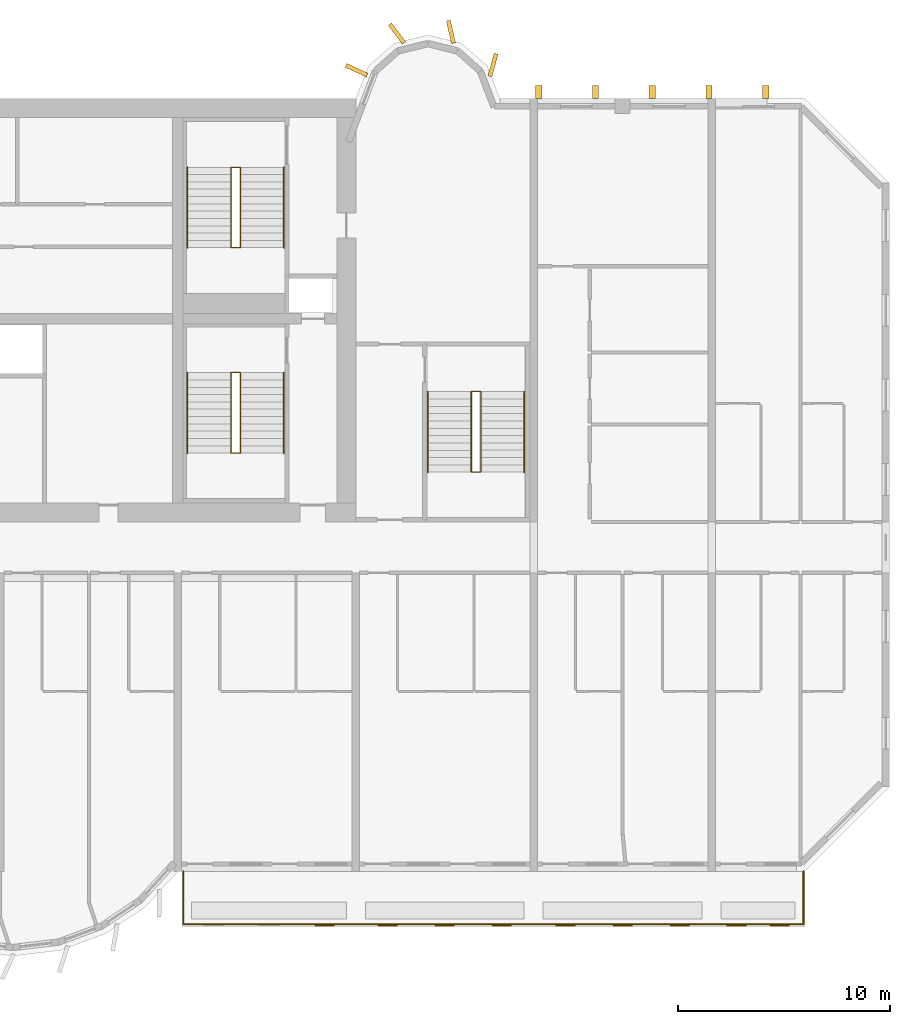
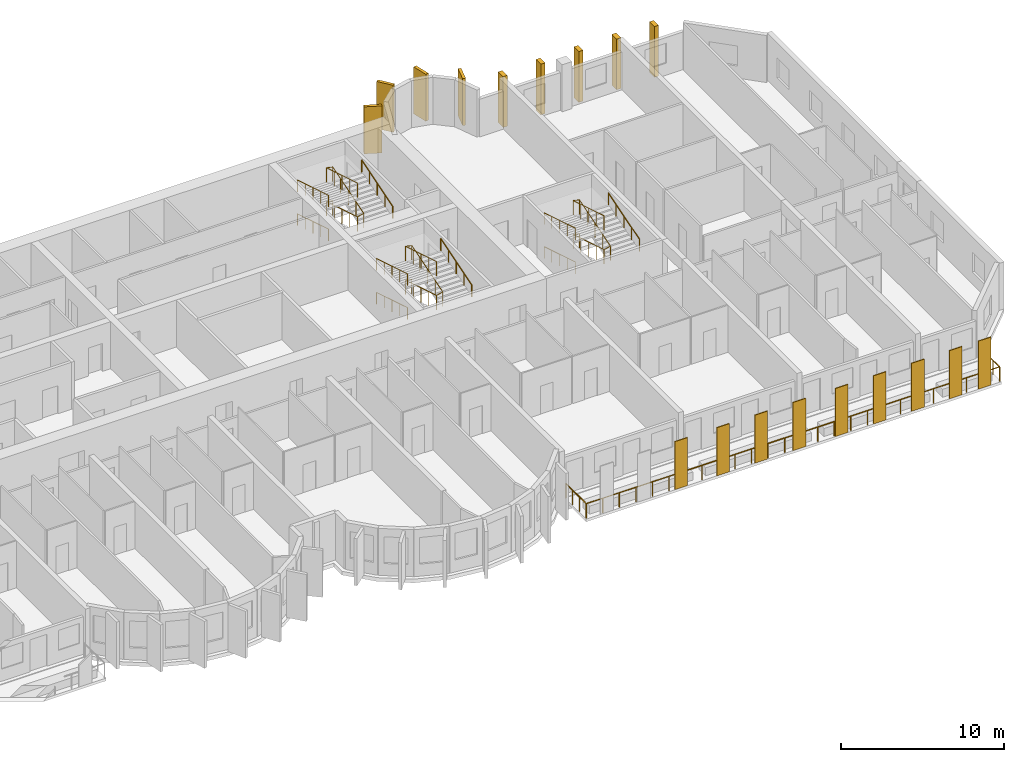
# One storey, part 13 of 14: 18 coverings, 13 railings.
"""IFC4 building model written with IfcOpenShell, lengths in metres."""

from ifc_helpers import new_model, si_unit, direction, frame, origin, origin_2d, place, context, subcontext, project, spatial, rectangle, circle, extrude, source, transform, mapped, material, layer, layer_set, material_profile, profile_set, type_object, element, save


model = new_model("IFC4")

# Units and contexts
model_context = context("Model", 3, precision=1e-05, world=origin(), true_north=direction((0.0, 1.0)))
body_context = subcontext(model_context, "Body", "Model", "MODEL_VIEW")
ifc_project = project(units=[si_unit("LENGTHUNIT", "METRE"), si_unit("AREAUNIT", "SQUARE_METRE"), si_unit("VOLUMEUNIT", "CUBIC_METRE"), si_unit("PLANEANGLEUNIT", "RADIAN"), si_unit("MASSUNIT", "GRAM", prefix="KILO")], contexts=[model_context])

# Site, building, storey
site_placement = place(None, origin())
site = spatial("IfcSite", under=ifc_project, at=site_placement, CompositionType="ELEMENT")
building_placement = place(site_placement, origin())
building = spatial("IfcBuilding", under=site, at=building_placement, Name="Vanashikhar Sky Hotel", CompositionType="ELEMENT")
storey_placement = place(building_placement, frame((0.0, 0.0, 102.800048828125)))
storey = spatial("IfcBuildingStorey", under=building, at=storey_placement, Name="L24", CompositionType="ELEMENT", Elevation=102.800048828125)

# Railing
ifc_material_1 = material(Name="Stainless steel 316", Category="steel")
railing_type_1 = type_object("IfcRailingType", Name="Balcony guard 1100", PredefinedType="GUARDRAIL", material=ifc_material_1)
shared_shape_1 = source(origin(), body_context, "Body", "SweptSolid", [
    extrude(circle(Radius=0.02392578125, at=origin_2d()), frame((0.0, 0.0, 1.076171875), z_axis=(0.0, -1.0, 0.0), x_axis=(1.0, 0.0, 0.0)), (0.0, 0.0, 1.0), 2.5),
    extrude(circle(Radius=0.02392578125, at=origin_2d()), frame((0.0, -2.5, 1.076171875), z_axis=(1.0, 0.0, 0.0), x_axis=(0.0, 1.0, 0.0)), (0.0, 0.0, 1.0), 29.280029296875),
    extrude(circle(Radius=0.02392578125, at=origin_2d()), frame((29.280029296875, -2.5, 1.076171875), z_axis=(0.0, 1.0, 0.0), x_axis=(-1.0, 0.0, 0.0)), (0.0, 0.0, 1.0), 2.5),
    extrude(circle(Radius=0.02099609375, at=origin_2d()), origin(), (0.0, 0.0, 1.0), 1.052001953125),
    extrude(circle(Radius=0.02099609375, at=origin_2d()), frame((0.0, -0.833251953125, 0.0)), (0.0, 0.0, 1.0), 1.052001953125),
    extrude(circle(Radius=0.02099609375, at=origin_2d()), frame((0.0, -1.666748046875, 0.0)), (0.0, 0.0, 1.0), 1.052001953125),
    extrude(circle(Radius=0.02099609375, at=origin_2d()), frame((0.0, -2.5, 0.0)), (0.0, 0.0, 1.0), 1.052001953125),
    extrude(circle(Radius=0.02099609375, at=origin_2d()), frame((1.171142578125, -2.5, 0.0)), (0.0, 0.0, 1.0), 1.052001953125),
    extrude(circle(Radius=0.02099609375, at=origin_2d()), frame((2.34228515625, -2.5, 0.0)), (0.0, 0.0, 1.0), 1.052001953125),
    extrude(circle(Radius=0.02099609375, at=origin_2d()), frame((3.513671875, -2.5, 0.0)), (0.0, 0.0, 1.0), 1.052001953125),
    extrude(circle(Radius=0.02099609375, at=origin_2d()), frame((4.684814453125, -2.5, 0.0)), (0.0, 0.0, 1.0), 1.052001953125),
    extrude(circle(Radius=0.02099609375, at=origin_2d()), frame((5.85595703125, -2.5, 0.0)), (0.0, 0.0, 1.0), 1.052001953125),
    extrude(circle(Radius=0.02099609375, at=origin_2d()), frame((7.027099609375, -2.5, 0.0)), (0.0, 0.0, 1.0), 1.052001953125),
    extrude(circle(Radius=0.02099609375, at=origin_2d()), frame((8.198486328125, -2.5, 0.0)), (0.0, 0.0, 1.0), 1.052001953125),
    extrude(circle(Radius=0.02099609375, at=origin_2d()), frame((9.36962890625, -2.5, 0.0)), (0.0, 0.0, 1.0), 1.052001953125),
    extrude(circle(Radius=0.02099609375, at=origin_2d()), frame((10.540771484375, -2.5, 0.0)), (0.0, 0.0, 1.0), 1.052001953125),
    extrude(circle(Radius=0.02099609375, at=origin_2d()), frame((11.7119140625, -2.5, 0.0)), (0.0, 0.0, 1.0), 1.052001953125),
    extrude(circle(Radius=0.02099609375, at=origin_2d()), frame((12.88330078125, -2.5, 0.0)), (0.0, 0.0, 1.0), 1.052001953125),
    extrude(circle(Radius=0.02099609375, at=origin_2d()), frame((14.054443359375, -2.5, 0.0)), (0.0, 0.0, 1.0), 1.052001953125),
    extrude(circle(Radius=0.02099609375, at=origin_2d()), frame((15.2255859375, -2.5, 0.0)), (0.0, 0.0, 1.0), 1.052001953125),
    extrude(circle(Radius=0.02099609375, at=origin_2d()), frame((16.396728515625, -2.5, 0.0)), (0.0, 0.0, 1.0), 1.052001953125),
    extrude(circle(Radius=0.02099609375, at=origin_2d()), frame((17.568115234375, -2.5, 0.0)), (0.0, 0.0, 1.0), 1.052001953125),
    extrude(circle(Radius=0.02099609375, at=origin_2d()), frame((18.7392578125, -2.5, 0.0)), (0.0, 0.0, 1.0), 1.052001953125),
    extrude(circle(Radius=0.02099609375, at=origin_2d()), frame((19.910400390625, -2.5, 0.0)), (0.0, 0.0, 1.0), 1.052001953125),
    extrude(circle(Radius=0.02099609375, at=origin_2d()), frame((21.08154296875, -2.5, 0.0)), (0.0, 0.0, 1.0), 1.052001953125),
    extrude(circle(Radius=0.02099609375, at=origin_2d()), frame((22.2529296875, -2.5, 0.0)), (0.0, 0.0, 1.0), 1.052001953125),
    extrude(circle(Radius=0.02099609375, at=origin_2d()), frame((23.424072265625, -2.5, 0.0)), (0.0, 0.0, 1.0), 1.052001953125),
    extrude(circle(Radius=0.02099609375, at=origin_2d()), frame((24.59521484375, -2.5, 0.0)), (0.0, 0.0, 1.0), 1.052001953125),
    extrude(circle(Radius=0.02099609375, at=origin_2d()), frame((25.766357421875, -2.5, 0.0)), (0.0, 0.0, 1.0), 1.052001953125),
    extrude(circle(Radius=0.02099609375, at=origin_2d()), frame((26.937744140625, -2.5, 0.0)), (0.0, 0.0, 1.0), 1.052001953125),
    extrude(circle(Radius=0.02099609375, at=origin_2d()), frame((28.10888671875, -2.5, 0.0)), (0.0, 0.0, 1.0), 1.052001953125),
    extrude(circle(Radius=0.02099609375, at=origin_2d()), frame((29.280029296875, -2.5, 0.0)), (0.0, 0.0, 1.0), 1.052001953125),
    extrude(circle(Radius=0.02099609375, at=origin_2d()), frame((29.280029296875, -1.666748046875, 0.0)), (0.0, 0.0, 1.0), 1.052001953125),
    extrude(circle(Radius=0.02099609375, at=origin_2d()), frame((29.280029296875, -0.833251953125, 0.0)), (0.0, 0.0, 1.0), 1.052001953125),
    extrude(circle(Radius=0.02099609375, at=origin_2d()), frame((29.280029296875, 0.0, 0.0)), (0.0, 0.0, 1.0), 1.052001953125),
])
railing_1_placement = place(storey_placement, frame((67.4599609375, 5.5, -0.050048828125)))
element("IfcRailing", 1, at=railing_1_placement, inside=storey, type_object=railing_type_1, Name="Balcony guard", PredefinedType="GUARDRAIL", context=body_context, shape_type="MappedRepresentation", body=[
    mapped(shared_shape_1, transform((0.0, 0.0, 0.0), scale=1.0)),
])

# Coverings
ifc_material_2 = material(Name="Terracotta", Category="masonry")
ifc_layer = layer(ifc_material_2, 0.06005859375)
ifc_layer_set = layer_set([ifc_layer], Name="Terracotta baguette screen")
covering_type_1 = type_object("IfcCoveringType", Name="Terracotta baguette screen", PredefinedType="CLADDING", material=ifc_layer_set)
shared_shape_2 = source(origin(), body_context, "Body", "SweptSolid", [
    extrude(rectangle(XDim=0.89990234375, YDim=0.06005859375, at=origin_2d()), origin(), (0.0, 0.0, 1.0), 3.60009765625),
])
for number, where, z_axis, x_axis, name in (
    (2, (74.13330078125, 2.929931640625, -0.050048828125), (0.0, 0.0, 1.0), (1.0, 0.0, 0.0), "Terracotta screen"),
    (3, (77.10009765625, 2.929931640625, -0.050048828125), (0.0, 0.0, 1.0), (1.0, 0.0, 0.0), "Terracotta screen"),
    (4, (79.800048828125, 2.929931640625, -0.050048828125), (0.0, 0.0, 1.0), (1.0, 0.0, 0.0), "Terracotta screen"),
    (5, (82.5, 2.929931640625, -0.050048828125), (0.0, 0.0, 1.0), (1.0, 0.0, 0.0), "Terracotta screen"),
    (6, (85.5, 2.929931640625, -0.050048828125), (0.0, 0.0, 1.0), (1.0, 0.0, 0.0), "Terracotta screen"),
    (7, (88.199951171875, 2.929931640625, -0.050048828125), (0.0, 0.0, 1.0), (1.0, 0.0, 0.0), "Terracotta screen"),
    (8, (90.89990234375, 2.929931640625, -0.050048828125), (0.0, 0.0, 1.0), (1.0, 0.0, 0.0), "Terracotta screen"),
    (9, (93.574951171875, 2.929931640625, -0.050048828125), (0.0, 0.0, 1.0), (1.0, 0.0, 0.0), "Terracotta screen"),
    (10, (95.625, 2.929931640625, -0.050048828125), (0.0, 0.0, 1.0), (1.0, 0.0, 0.0), "Terracotta screen"),
):
    element("IfcCovering", number, at=place(storey_placement, frame(where, z_axis=z_axis, x_axis=x_axis)), inside=storey, type_object=covering_type_1, Name=name, PredefinedType="CLADDING", context=body_context, shape_type="MappedRepresentation", body=[
        mapped(shared_shape_2, transform((0.0, 0.0, 0.0), scale=1.0)),
    ])
ifc_material_3 = material(Name="Concrete M60 dark", Category="concrete")
ifc_material_profile_1 = material_profile(ifc_material_3, rectangle(XDim=1.10009765625, YDim=0.199951171875, at=origin_2d()))
ifc_profile_set_1 = profile_set([ifc_material_profile_1], Name="Rear lobe fin 1100 x 200")
covering_type_2 = type_object("IfcCoveringType", Name="Rear lobe fin 1100 x 200", PredefinedType="CLADDING", material=ifc_profile_set_1)
shared_shape_3 = source(origin(), body_context, "Body", "SweptSolid", [
    extrude(rectangle(XDim=1.10009765625, YDim=0.199951171875, at=origin_2d()), origin(), (0.0, 0.0, 1.0), 3.52001953125),
])
for number, where, z_axis, x_axis, name in (
    (11, (75.63037109375, 43.33447265625, 0.0), (0.0, 0.0, 1.0), (-0.908004291068, 0.418960866193, 0.0), "Fin R2-1"),
    (12, (77.5380859375, 45.06640625, 0.0), (0.0, 0.0, 1.0), (-0.602065892195, 0.798446404874, 0.0), "Fin R2-2"),
    (13, (80.08984375, 45.1455078125, 0.0), (0.0, 0.0, 1.0), (-0.224644935864, 0.974440687159, 0.0), "Fin R2-3"),
    (14, (82.0791015625, 43.580078125, 0.0), (0.0, 0.0, 1.0), (0.262711264409, 0.964874495234, 0.0), "Fin R2-4"),
):
    element("IfcCovering", number, at=place(storey_placement, frame(where, z_axis=z_axis, x_axis=x_axis)), inside=storey, type_object=covering_type_2, Name=name, PredefinedType="CLADDING", context=body_context, shape_type="MappedRepresentation", body=[
        mapped(shared_shape_3, transform((0.0, 0.0, 0.0), scale=1.0)),
    ])
ifc_material_profile_2 = material_profile(ifc_material_3, rectangle(XDim=0.60009765625, YDim=0.300048828125, at=origin_2d()))
ifc_profile_set_2 = profile_set([ifc_material_profile_2], Name="Rear rib 600 x 300")
covering_type_3 = type_object("IfcCoveringType", Name="Rear rib 600 x 300", PredefinedType="CLADDING", material=ifc_profile_set_2)
shared_shape_4 = source(origin(), body_context, "Body", "SweptSolid", [
    extrude(rectangle(XDim=0.60009765625, YDim=0.300048828125, at=origin_2d()), origin(), (0.0, 0.0, 1.0), 3.800048828125),
])
for number, where, z_axis, x_axis, name in (
    (15, (84.239990234375, 42.300048828125, -0.280029296875), (0.0, 0.0, 1.0), (0.0, 1.0, 0.0), "Rear rib"),
    (16, (86.919921875, 42.300048828125, -0.280029296875), (0.0, 0.0, 1.0), (0.0, 1.0, 0.0), "Rear rib"),
    (17, (89.60009765625, 42.300048828125, -0.280029296875), (0.0, 0.0, 1.0), (0.0, 1.0, 0.0), "Rear rib"),
    (18, (92.280029296875, 42.300048828125, -0.280029296875), (0.0, 0.0, 1.0), (0.0, 1.0, 0.0), "Rear rib"),
    (19, (94.9599609375, 42.300048828125, -0.280029296875), (0.0, 0.0, 1.0), (0.0, 1.0, 0.0), "Rear rib"),
):
    element("IfcCovering", number, at=place(storey_placement, frame(where, z_axis=z_axis, x_axis=x_axis)), inside=storey, type_object=covering_type_3, Name=name, PredefinedType="CLADDING", context=body_context, shape_type="MappedRepresentation", body=[
        mapped(shared_shape_4, transform((0.0, 0.0, 0.0), scale=1.0)),
    ])

# Railings
ifc_material_4 = material(Name="Steel S355", Category="steel")
railing_type_2 = type_object("IfcRailingType", Name="Stair handrail 900", PredefinedType="HANDRAIL", material=ifc_material_4)
shared_shape_5 = source(origin(), body_context, "Body", "SweptSolid", [
    extrude(circle(Radius=0.02392578125, at=origin_2d()), frame((0.0, 0.0, 0.8759765625), z_axis=(0.0, 0.95635109408, 0.292220096591), x_axis=(-1.0, 0.0, 0.0)), (0.0, 0.0, 1.0), 3.973388671875),
    extrude(circle(Radius=0.02099609375, at=origin_2d()), origin(), (0.0, 0.0, 1.0), 0.851806640625),
    extrude(circle(Radius=0.02099609375, at=origin_2d()), frame((0.0, 0.949951171875, 0.290283203125)), (0.0, 0.0, 1.0), 0.851806640625),
    extrude(circle(Radius=0.02099609375, at=origin_2d()), frame((0.0, 1.89990234375, 0.58056640625)), (0.0, 0.0, 1.0), 0.851806640625),
    extrude(circle(Radius=0.02099609375, at=origin_2d()), frame((0.0, 2.85009765625, 0.870849609375)), (0.0, 0.0, 1.0), 0.851806640625),
    extrude(circle(Radius=0.02099609375, at=origin_2d()), frame((0.0, 3.800048828125, 1.1611328125)), (0.0, 0.0, 1.0), 0.851806640625),
])
for number, where, name in (
    (20, (72.199951171875, 25.25, 1.3720703125), "Exit stair 2 handrail"),
    (21, (72.199951171875, 34.949951171875, 1.3720703125), "Exit stair 6 handrail"),
):
    element("IfcRailing", number, at=place(storey_placement, frame(where)), inside=storey, type_object=railing_type_2, Name=name, PredefinedType="HANDRAIL", context=body_context, shape_type="MappedRepresentation", body=[
        mapped(shared_shape_5, transform((0.0, 0.0, 0.0), scale=1.0)),
    ])
shared_shape_6 = source(origin(), body_context, "Body", "SweptSolid", [
    extrude(circle(Radius=0.02392578125, at=origin_2d()), frame((0.0, 0.0, 0.8759765625), z_axis=(0.0, -0.95635109408, 0.292220096591), x_axis=(1.0, 0.0, 0.0)), (0.0, 0.0, 1.0), 3.973388671875),
    extrude(circle(Radius=0.02099609375, at=origin_2d()), origin(), (0.0, 0.0, 1.0), 0.851806640625),
    extrude(circle(Radius=0.02099609375, at=origin_2d()), frame((0.0, -0.949951171875, 0.290283203125)), (0.0, 0.0, 1.0), 0.851806640625),
    extrude(circle(Radius=0.02099609375, at=origin_2d()), frame((0.0, -1.89990234375, 0.58056640625)), (0.0, 0.0, 1.0), 0.851806640625),
    extrude(circle(Radius=0.02099609375, at=origin_2d()), frame((0.0, -2.85009765625, 0.870849609375)), (0.0, 0.0, 1.0), 0.851806640625),
    extrude(circle(Radius=0.02099609375, at=origin_2d()), frame((0.0, -3.800048828125, 1.1611328125)), (0.0, 0.0, 1.0), 0.851806640625),
])
for number, where, name in (
    (22, (67.64990234375, 29.050048828125, 0.10546875), "Exit stair 2 handrail"),
    (23, (67.64990234375, 29.050048828125, 2.638916015625), "Exit stair 2 handrail"),
    (24, (67.64990234375, 38.75, 0.10546875), "Exit stair 6 handrail"),
    (25, (67.64990234375, 38.75, 2.638916015625), "Exit stair 6 handrail"),
):
    element("IfcRailing", number, at=place(storey_placement, frame(where)), inside=storey, type_object=railing_type_2, Name=name, PredefinedType="HANDRAIL", context=body_context, shape_type="MappedRepresentation", body=[
        mapped(shared_shape_6, transform((0.0, 0.0, 0.0), scale=1.0)),
    ])
railing_type_3 = type_object("IfcRailingType", Name="Stair guard 1100", PredefinedType="GUARDRAIL", material=ifc_material_4)
shared_shape_7 = source(origin(), body_context, "Body", "SweptSolid", [
    extrude(circle(Radius=0.02392578125, at=origin_2d()), frame((0.0, 0.0, 1.076171875), z_axis=(-0.973610808694, 0.0, 0.228214796178), x_axis=(0.0, -1.0, 0.0)), (0.0, 0.0, 1.0), 0.462158203125),
    extrude(circle(Radius=0.02392578125, at=origin_2d()), frame((-0.449951171875, 0.0, 1.181640625), z_axis=(0.0, -0.95635109408, 0.292220096591), x_axis=(1.0, 0.0, 0.0)), (0.0, 0.0, 1.0), 3.973388671875),
    extrude(circle(Radius=0.02392578125, at=origin_2d()), frame((-0.449951171875, -3.800048828125, 2.3427734375), z_axis=(0.973610808694, 0.0, 0.228214796178), x_axis=(0.0, 1.0, 0.0)), (0.0, 0.0, 1.0), 0.462158203125),
    extrude(circle(Radius=0.02392578125, at=origin_2d()), frame((0.0, -3.800048828125, 2.4482421875), z_axis=(0.0, 0.95635109408, 0.292220096591), x_axis=(-1.0, 0.0, 0.0)), (0.0, 0.0, 1.0), 3.973388671875),
    extrude(circle(Radius=0.02392578125, at=origin_2d()), frame((0.0, 0.0, 3.609375), z_axis=(-0.973493315427, 0.0, 0.228715466945), x_axis=(0.0, -1.0, 0.0)), (0.0, 0.0, 1.0), 0.462158203125),
    extrude(circle(Radius=0.02392578125, at=origin_2d()), frame((-0.449951171875, 0.0, 3.71484375), z_axis=(0.0, -0.95635109408, 0.292220096591), x_axis=(1.0, 0.0, 0.0)), (0.0, 0.0, 1.0), 3.973388671875),
    extrude(circle(Radius=0.02099609375, at=origin_2d()), origin(), (0.0, 0.0, 1.0), 1.052001953125),
    extrude(circle(Radius=0.02099609375, at=origin_2d()), frame((-0.449951171875, 0.0, 0.10546875)), (0.0, 0.0, 1.0), 1.052001953125),
    extrude(circle(Radius=0.02099609375, at=origin_2d()), frame((-0.449951171875, -0.949951171875, 0.395751953125)), (0.0, 0.0, 1.0), 1.052001953125),
    extrude(circle(Radius=0.02099609375, at=origin_2d()), frame((-0.449951171875, -1.89990234375, 0.68603515625)), (0.0, 0.0, 1.0), 1.052001953125),
    extrude(circle(Radius=0.02099609375, at=origin_2d()), frame((-0.449951171875, -2.85009765625, 0.976318359375)), (0.0, 0.0, 1.0), 1.052001953125),
    extrude(circle(Radius=0.02099609375, at=origin_2d()), frame((-0.449951171875, -3.800048828125, 1.2666015625)), (0.0, 0.0, 1.0), 1.052001953125),
    extrude(circle(Radius=0.02099609375, at=origin_2d()), frame((0.0, -3.800048828125, 1.3720703125)), (0.0, 0.0, 1.0), 1.052001953125),
    extrude(circle(Radius=0.02099609375, at=origin_2d()), frame((0.0, -2.85009765625, 1.662353515625)), (0.0, 0.0, 1.0), 1.052001953125),
    extrude(circle(Radius=0.02099609375, at=origin_2d()), frame((0.0, -1.89990234375, 1.95263671875)), (0.0, 0.0, 1.0), 1.052001953125),
    extrude(circle(Radius=0.02099609375, at=origin_2d()), frame((0.0, -0.949951171875, 2.242919921875)), (0.0, 0.0, 1.0), 1.052001953125),
    extrude(circle(Radius=0.02099609375, at=origin_2d()), frame((0.0, 0.0, 2.533203125)), (0.0, 0.0, 1.0), 1.052001953125),
    extrude(circle(Radius=0.02099609375, at=origin_2d()), frame((-0.449951171875, 0.0, 2.638916015625)), (0.0, 0.0, 1.0), 1.052001953125),
    extrude(circle(Radius=0.02099609375, at=origin_2d()), frame((-0.449951171875, -0.949951171875, 2.92919921875)), (0.0, 0.0, 1.0), 1.052001953125),
    extrude(circle(Radius=0.02099609375, at=origin_2d()), frame((-0.449951171875, -1.89990234375, 3.219482421875)), (0.0, 0.0, 1.0), 1.052001953125),
    extrude(circle(Radius=0.02099609375, at=origin_2d()), frame((-0.449951171875, -2.85009765625, 3.509765625)), (0.0, 0.0, 1.0), 1.052001953125),
    extrude(circle(Radius=0.02099609375, at=origin_2d()), frame((-0.449951171875, -3.800048828125, 3.800048828125)), (0.0, 0.0, 1.0), 1.052001953125),
])
for number, where, name in (
    (26, (70.14990234375, 29.050048828125, 0.0), "Exit stair 2 guard"),
    (27, (70.14990234375, 38.75, 0.0), "Exit stair 6 guard"),
):
    element("IfcRailing", number, at=place(storey_placement, frame(where)), inside=storey, type_object=railing_type_3, Name=name, PredefinedType="GUARDRAIL", context=body_context, shape_type="MappedRepresentation", body=[
        mapped(shared_shape_7, transform((0.0, 0.0, 0.0), scale=1.0)),
    ])
shared_shape_8 = source(origin(), body_context, "Body", "SweptSolid", [
    extrude(circle(Radius=0.02392578125, at=origin_2d()), frame((0.0, 0.0, 0.8759765625), z_axis=(0.0, 0.956345846891, 0.292237268557), x_axis=(-1.0, 0.0, 0.0)), (0.0, 0.0, 1.0), 3.97314453125),
    extrude(circle(Radius=0.02099609375, at=origin_2d()), origin(), (0.0, 0.0, 1.0), 0.851806640625),
    extrude(circle(Radius=0.02099609375, at=origin_2d()), frame((0.0, 0.949951171875, 0.290283203125)), (0.0, 0.0, 1.0), 0.851806640625),
    extrude(circle(Radius=0.02099609375, at=origin_2d()), frame((0.0, 1.89990234375, 0.58056640625)), (0.0, 0.0, 1.0), 0.851806640625),
    extrude(circle(Radius=0.02099609375, at=origin_2d()), frame((0.0, 2.849853515625, 0.870849609375)), (0.0, 0.0, 1.0), 0.851806640625),
    extrude(circle(Radius=0.02099609375, at=origin_2d()), frame((0.0, 3.7998046875, 1.1611328125)), (0.0, 0.0, 1.0), 0.851806640625),
])
railing_2_placement = place(storey_placement, frame((83.550048828125, 24.35009765625, 1.3720703125)))
element("IfcRailing", 28, at=railing_2_placement, inside=storey, type_object=railing_type_2, Name="Exit stair 4 handrail", PredefinedType="HANDRAIL", context=body_context, shape_type="MappedRepresentation", body=[
    mapped(shared_shape_8, transform((0.0, 0.0, 0.0), scale=1.0)),
])
shared_shape_9 = source(origin(), body_context, "Body", "SweptSolid", [
    extrude(circle(Radius=0.02392578125, at=origin_2d()), frame((0.0, 0.0, 0.8759765625), z_axis=(0.0, -0.956345846891, 0.292237268557), x_axis=(1.0, 0.0, 0.0)), (0.0, 0.0, 1.0), 3.97314453125),
    extrude(circle(Radius=0.02099609375, at=origin_2d()), origin(), (0.0, 0.0, 1.0), 0.851806640625),
    extrude(circle(Radius=0.02099609375, at=origin_2d()), frame((0.0, -0.949951171875, 0.290283203125)), (0.0, 0.0, 1.0), 0.851806640625),
    extrude(circle(Radius=0.02099609375, at=origin_2d()), frame((0.0, -1.89990234375, 0.58056640625)), (0.0, 0.0, 1.0), 0.851806640625),
    extrude(circle(Radius=0.02099609375, at=origin_2d()), frame((0.0, -2.849853515625, 0.870849609375)), (0.0, 0.0, 1.0), 0.851806640625),
    extrude(circle(Radius=0.02099609375, at=origin_2d()), frame((0.0, -3.7998046875, 1.1611328125)), (0.0, 0.0, 1.0), 0.851806640625),
])
for number, where, name in (
    (29, (79.0, 28.14990234375, 0.10546875), "Exit stair 4 handrail"),
    (30, (79.0, 28.14990234375, 2.638916015625), "Exit stair 4 handrail"),
):
    element("IfcRailing", number, at=place(storey_placement, frame(where)), inside=storey, type_object=railing_type_2, Name=name, PredefinedType="HANDRAIL", context=body_context, shape_type="MappedRepresentation", body=[
        mapped(shared_shape_9, transform((0.0, 0.0, 0.0), scale=1.0)),
    ])
shared_shape_10 = source(origin(), body_context, "Body", "SweptSolid", [
    extrude(circle(Radius=0.02392578125, at=origin_2d()), frame((0.0, 0.0, 1.076171875), z_axis=(-0.973610808694, 0.0, 0.228214796178), x_axis=(0.0, -1.0, 0.0)), (0.0, 0.0, 1.0), 0.462158203125),
    extrude(circle(Radius=0.02392578125, at=origin_2d()), frame((-0.449951171875, 0.0, 1.181640625), z_axis=(0.0, -0.956345846891, 0.292237268557), x_axis=(1.0, 0.0, 0.0)), (0.0, 0.0, 1.0), 3.97314453125),
    extrude(circle(Radius=0.02392578125, at=origin_2d()), frame((-0.449951171875, -3.7998046875, 2.3427734375), z_axis=(0.973610808694, 0.0, 0.228214796178), x_axis=(0.0, 1.0, 0.0)), (0.0, 0.0, 1.0), 0.462158203125),
    extrude(circle(Radius=0.02392578125, at=origin_2d()), frame((0.0, -3.7998046875, 2.4482421875), z_axis=(0.0, 0.956345846891, 0.292237268557), x_axis=(-1.0, 0.0, 0.0)), (0.0, 0.0, 1.0), 3.97314453125),
    extrude(circle(Radius=0.02392578125, at=origin_2d()), frame((0.0, 0.0, 3.609375), z_axis=(-0.973493315427, 0.0, 0.228715466945), x_axis=(0.0, -1.0, 0.0)), (0.0, 0.0, 1.0), 0.462158203125),
    extrude(circle(Radius=0.02392578125, at=origin_2d()), frame((-0.449951171875, 0.0, 3.71484375), z_axis=(0.0, -0.956345846891, 0.292237268557), x_axis=(1.0, 0.0, 0.0)), (0.0, 0.0, 1.0), 3.97314453125),
    extrude(circle(Radius=0.02099609375, at=origin_2d()), origin(), (0.0, 0.0, 1.0), 1.052001953125),
    extrude(circle(Radius=0.02099609375, at=origin_2d()), frame((-0.449951171875, 0.0, 0.10546875)), (0.0, 0.0, 1.0), 1.052001953125),
    extrude(circle(Radius=0.02099609375, at=origin_2d()), frame((-0.449951171875, -0.949951171875, 0.395751953125)), (0.0, 0.0, 1.0), 1.052001953125),
    extrude(circle(Radius=0.02099609375, at=origin_2d()), frame((-0.449951171875, -1.89990234375, 0.68603515625)), (0.0, 0.0, 1.0), 1.052001953125),
    extrude(circle(Radius=0.02099609375, at=origin_2d()), frame((-0.449951171875, -2.849853515625, 0.976318359375)), (0.0, 0.0, 1.0), 1.052001953125),
    extrude(circle(Radius=0.02099609375, at=origin_2d()), frame((-0.449951171875, -3.7998046875, 1.2666015625)), (0.0, 0.0, 1.0), 1.052001953125),
    extrude(circle(Radius=0.02099609375, at=origin_2d()), frame((0.0, -3.7998046875, 1.3720703125)), (0.0, 0.0, 1.0), 1.052001953125),
    extrude(circle(Radius=0.02099609375, at=origin_2d()), frame((0.0, -2.849853515625, 1.662353515625)), (0.0, 0.0, 1.0), 1.052001953125),
    extrude(circle(Radius=0.02099609375, at=origin_2d()), frame((0.0, -1.89990234375, 1.95263671875)), (0.0, 0.0, 1.0), 1.052001953125),
    extrude(circle(Radius=0.02099609375, at=origin_2d()), frame((0.0, -0.949951171875, 2.242919921875)), (0.0, 0.0, 1.0), 1.052001953125),
    extrude(circle(Radius=0.02099609375, at=origin_2d()), frame((0.0, 0.0, 2.533203125)), (0.0, 0.0, 1.0), 1.052001953125),
    extrude(circle(Radius=0.02099609375, at=origin_2d()), frame((-0.449951171875, 0.0, 2.638916015625)), (0.0, 0.0, 1.0), 1.052001953125),
    extrude(circle(Radius=0.02099609375, at=origin_2d()), frame((-0.449951171875, -0.949951171875, 2.92919921875)), (0.0, 0.0, 1.0), 1.052001953125),
    extrude(circle(Radius=0.02099609375, at=origin_2d()), frame((-0.449951171875, -1.89990234375, 3.219482421875)), (0.0, 0.0, 1.0), 1.052001953125),
    extrude(circle(Radius=0.02099609375, at=origin_2d()), frame((-0.449951171875, -2.849853515625, 3.509765625)), (0.0, 0.0, 1.0), 1.052001953125),
    extrude(circle(Radius=0.02099609375, at=origin_2d()), frame((-0.449951171875, -3.7998046875, 3.800048828125)), (0.0, 0.0, 1.0), 1.052001953125),
])
railing_3_placement = place(storey_placement, frame((81.5, 28.14990234375, 0.0)))
element("IfcRailing", 31, at=railing_3_placement, inside=storey, type_object=railing_type_3, Name="Exit stair 4 guard", PredefinedType="GUARDRAIL", context=body_context, shape_type="MappedRepresentation", body=[
    mapped(shared_shape_10, transform((0.0, 0.0, 0.0), scale=1.0)),
])

save(model, "model.ifc")
